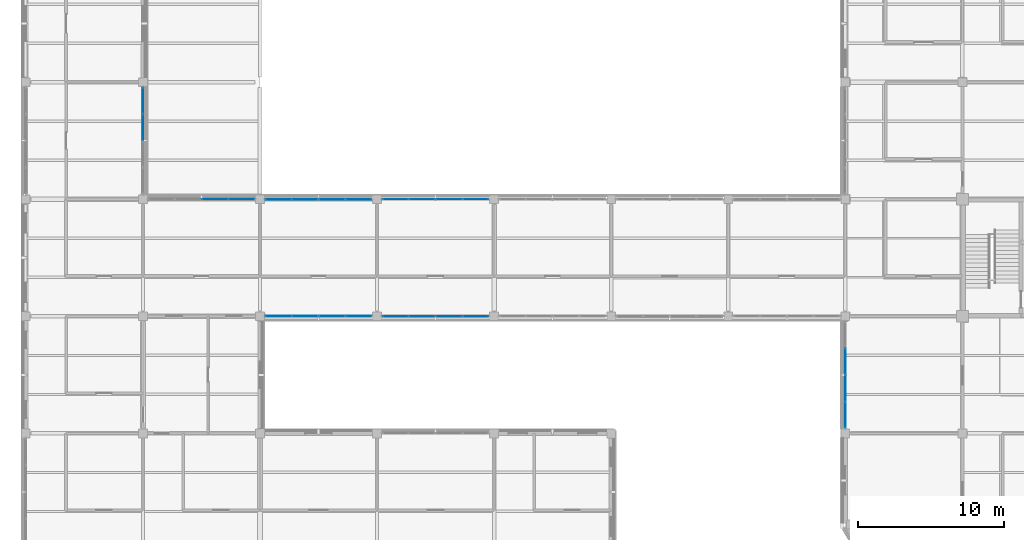
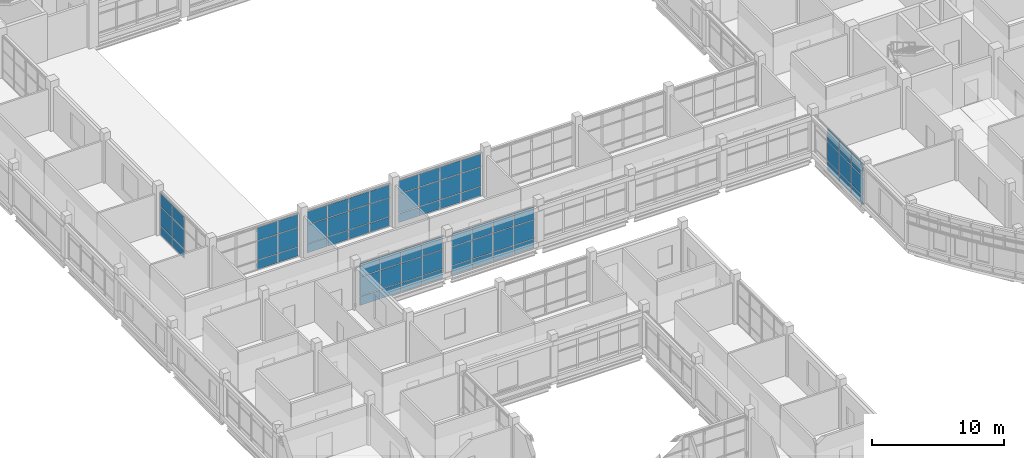
# One storey, part 62 of 121: 69 plates, 7 elements without a shape of their own.
"""IFC4 building model written with IfcOpenShell, lengths in metres."""

from ifc_helpers import new_model, si_unit, derived_unit, direction, frame, origin, origin_2d, place, context, subcontext, project, spatial, rectangle, extrude, material, layer, layer_set, type_object, element, aggregate, save


model = new_model("IFC4")

# Units and contexts
model_context = context("Model", 3, precision=1e-05, world=origin(), true_north=direction((0.0, 1.0)))
body_context = subcontext(model_context, "Body", "Model", "MODEL_VIEW")
ifc_project = project(units=[si_unit("LENGTHUNIT", "METRE"), si_unit("AREAUNIT", "SQUARE_METRE"), si_unit("VOLUMEUNIT", "CUBIC_METRE"), si_unit("PLANEANGLEUNIT", "RADIAN"), si_unit("MASSUNIT", "GRAM", prefix="KILO"), derived_unit("THERMALTRANSMITTANCEUNIT", [(si_unit("MASSUNIT", "GRAM", prefix="KILO"), 1), (si_unit("TIMEUNIT", "SECOND"), -3), (si_unit("THERMODYNAMICTEMPERATUREUNIT", "KELVIN"), -1)])], contexts=[model_context])

# Site, building, storey
site_placement = place(None, origin())
site = spatial("IfcSite", under=ifc_project, at=site_placement, CompositionType="ELEMENT")
building_placement = place(site_placement, origin())
building = spatial("IfcBuilding", under=site, at=building_placement, Name="Veyamyaing Civic Hall", CompositionType="ELEMENT")
storey_placement = place(building_placement, frame((0.0, 0.0, 5.280029296875)))
storey = spatial("IfcBuildingStorey", under=building, at=storey_placement, Name="L01", CompositionType="ELEMENT", Elevation=5.280029296875)

# Curtain wall, plates
ifc_material_1 = material(Name="Anodised aluminium 6063-T6", Category="aluminium")
ifc_layer_1 = layer(ifc_material_1, 0.159912109375, Name="Anodised aluminium 6063-T6")
ifc_layer_set_1 = layer_set([ifc_layer_1], Name="Anodised aluminium 6063-T6")
curtain_wall_type = type_object("IfcCurtainWallType", Name="CW-02", PredefinedType="NOTDEFINED", material=ifc_layer_set_1)
curtain_wall_1_placement = place(storey_placement, origin())
curtain_wall_1 = element("IfcCurtainWall", 1, at=curtain_wall_1_placement, inside=storey, type_object=curtain_wall_type, Name="Unitized curtain wall CW-02 L01 W 8.6", PredefinedType="NOTDEFINED")
ifc_material_2 = material(Name="Low-E insulated glass", Category="glass")
ifc_layer_2 = layer(ifc_material_2, 0.035888671875, Name="Low-E insulated glass")
ifc_layer_set_2 = layer_set([ifc_layer_2], Name="Low-E insulated glass")
plate_type_1 = type_object("IfcPlateType", Name="CWP-03", PredefinedType="CURTAIN_PANEL", material=ifc_layer_set_2)
plate_1_placement = place(storey_placement, frame((56.0, 41.263671875, 0.06494140625), z_axis=(0.0, 0.0, 1.0), x_axis=(0.0, 1.0, 0.0)))
plate_1 = element("IfcPlate", 2, at=plate_1_placement, type_object=plate_type_1, Name="CW-02 panel 1.1", PredefinedType="CURTAIN_PANEL", context=body_context, shape_type="SweptSolid", body=[
    extrude(rectangle(XDim=1.737548828125, YDim=0.035888671875, at=origin_2d()), origin(), (0.0, 0.0, 1.0), 0.802490234375),
])
plate_2_placement = place(storey_placement, frame((56.0, 41.263671875, 0.932373046875), z_axis=(0.0, 0.0, 1.0), x_axis=(0.0, 1.0, 0.0)))
plate_2 = element("IfcPlate", 3, at=plate_2_placement, type_object=plate_type_1, Name="CW-02 panel 1.2", PredefinedType="CURTAIN_PANEL", context=body_context, shape_type="SweptSolid", body=[
    extrude(rectangle(XDim=1.737548828125, YDim=0.035888671875, at=origin_2d()), origin(), (0.0, 0.0, 1.0), 1.7373046875),
])
plate_3_placement = place(storey_placement, frame((56.0, 41.263671875, 2.734619140625), z_axis=(0.0, 0.0, 1.0), x_axis=(0.0, 1.0, 0.0)))
plate_3 = element("IfcPlate", 4, at=plate_3_placement, type_object=plate_type_1, Name="CW-02 panel 1.3", PredefinedType="CURTAIN_PANEL", context=body_context, shape_type="SweptSolid", body=[
    extrude(rectangle(XDim=1.737548828125, YDim=0.035888671875, at=origin_2d()), origin(), (0.0, 0.0, 1.0), 1.17431640625),
])
plate_4_placement = place(storey_placement, frame((56.0, 43.08251953125, 0.06494140625), z_axis=(0.0, 0.0, 1.0), x_axis=(0.0, 1.0, 0.0)))
plate_4 = element("IfcPlate", 5, at=plate_4_placement, type_object=plate_type_1, Name="CW-02 panel 2.1", PredefinedType="CURTAIN_PANEL", context=body_context, shape_type="SweptSolid", body=[
    extrude(rectangle(XDim=1.77001953125, YDim=0.035888671875, at=origin_2d()), origin(), (0.0, 0.0, 1.0), 0.802490234375),
])
plate_5_placement = place(storey_placement, frame((56.0, 43.08251953125, 0.932373046875), z_axis=(0.0, 0.0, 1.0), x_axis=(0.0, 1.0, 0.0)))
plate_5 = element("IfcPlate", 6, at=plate_5_placement, type_object=plate_type_1, Name="CW-02 panel 2.2", PredefinedType="CURTAIN_PANEL", context=body_context, shape_type="SweptSolid", body=[
    extrude(rectangle(XDim=1.77001953125, YDim=0.035888671875, at=origin_2d()), origin(), (0.0, 0.0, 1.0), 1.7373046875),
])
plate_6_placement = place(storey_placement, frame((56.0, 43.08251953125, 2.734619140625), z_axis=(0.0, 0.0, 1.0), x_axis=(0.0, 1.0, 0.0)))
plate_6 = element("IfcPlate", 7, at=plate_6_placement, type_object=plate_type_1, Name="CW-02 panel 2.3", PredefinedType="CURTAIN_PANEL", context=body_context, shape_type="SweptSolid", body=[
    extrude(rectangle(XDim=1.77001953125, YDim=0.035888671875, at=origin_2d()), origin(), (0.0, 0.0, 1.0), 1.17431640625),
])
plate_7_placement = place(storey_placement, frame((56.0, 44.91748046875, 0.06494140625), z_axis=(0.0, 0.0, 1.0), x_axis=(0.0, 1.0, 0.0)))
plate_7 = element("IfcPlate", 8, at=plate_7_placement, type_object=plate_type_1, Name="CW-02 panel 3.1", PredefinedType="CURTAIN_PANEL", context=body_context, shape_type="SweptSolid", body=[
    extrude(rectangle(XDim=1.77001953125, YDim=0.035888671875, at=origin_2d()), origin(), (0.0, 0.0, 1.0), 0.802490234375),
])
plate_8_placement = place(storey_placement, frame((56.0, 44.91748046875, 0.932373046875), z_axis=(0.0, 0.0, 1.0), x_axis=(0.0, 1.0, 0.0)))
plate_8 = element("IfcPlate", 9, at=plate_8_placement, type_object=plate_type_1, Name="CW-02 panel 3.2", PredefinedType="CURTAIN_PANEL", context=body_context, shape_type="SweptSolid", body=[
    extrude(rectangle(XDim=1.77001953125, YDim=0.035888671875, at=origin_2d()), origin(), (0.0, 0.0, 1.0), 1.7373046875),
])
plate_9_placement = place(storey_placement, frame((56.0, 44.91748046875, 2.734619140625), z_axis=(0.0, 0.0, 1.0), x_axis=(0.0, 1.0, 0.0)))
plate_9 = element("IfcPlate", 10, at=plate_9_placement, type_object=plate_type_1, Name="CW-02 panel 3.3", PredefinedType="CURTAIN_PANEL", context=body_context, shape_type="SweptSolid", body=[
    extrude(rectangle(XDim=1.77001953125, YDim=0.035888671875, at=origin_2d()), origin(), (0.0, 0.0, 1.0), 1.17431640625),
])
aggregate(curtain_wall_1, [plate_1, plate_2, plate_3, plate_4, plate_5, plate_6, plate_7, plate_8, plate_9])

curtain_wall_2_placement = place(storey_placement, origin())
curtain_wall_2 = element("IfcCurtainWall", 11, at=curtain_wall_2_placement, inside=storey, type_object=curtain_wall_type, Name="Unitized curtain wall CW-02 L01 E 1.8", PredefinedType="NOTDEFINED")
ifc_layer_3 = layer(ifc_material_2, 0.02392578125, Name="Low-E insulated glass")
ifc_layer_set_3 = layer_set([ifc_layer_3], Name="Low-E insulated glass")
plate_type_2 = type_object("IfcPlateType", Name="CWP-04", PredefinedType="CURTAIN_PANEL", material=ifc_layer_set_3)
plate_10_placement = place(storey_placement, frame((8.0, 60.91748046875, 0.06494140625), z_axis=(0.0, 0.0, 1.0), x_axis=(0.0, 1.0, 0.0)))
plate_10 = element("IfcPlate", 12, at=plate_10_placement, type_object=plate_type_2, Name="CW-02 panel 3.1", PredefinedType="CURTAIN_PANEL", context=body_context, shape_type="SweptSolid", body=[
    extrude(rectangle(XDim=1.77001953125, YDim=0.02392578125, at=origin_2d()), origin(), (0.0, 0.0, 1.0), 0.802490234375),
])
plate_11_placement = place(storey_placement, frame((8.0, 60.91748046875, 0.932373046875), z_axis=(0.0, 0.0, 1.0), x_axis=(0.0, 1.0, 0.0)))
plate_11 = element("IfcPlate", 13, at=plate_11_placement, type_object=plate_type_2, Name="CW-02 panel 3.2", PredefinedType="CURTAIN_PANEL", context=body_context, shape_type="SweptSolid", body=[
    extrude(rectangle(XDim=1.77001953125, YDim=0.02392578125, at=origin_2d()), origin(), (0.0, 0.0, 1.0), 1.7373046875),
])
plate_12_placement = place(storey_placement, frame((8.0, 60.91748046875, 2.734619140625), z_axis=(0.0, 0.0, 1.0), x_axis=(0.0, 1.0, 0.0)))
plate_12 = element("IfcPlate", 14, at=plate_12_placement, type_object=plate_type_2, Name="CW-02 panel 3.3", PredefinedType="CURTAIN_PANEL", context=body_context, shape_type="SweptSolid", body=[
    extrude(rectangle(XDim=1.77001953125, YDim=0.02392578125, at=origin_2d()), origin(), (0.0, 0.0, 1.0), 1.17431640625),
])
plate_13_placement = place(storey_placement, frame((8.0, 62.736328125, 0.06494140625), z_axis=(0.0, 0.0, 1.0), x_axis=(0.0, 1.0, 0.0)))
plate_13 = element("IfcPlate", 15, at=plate_13_placement, type_object=plate_type_2, Name="CW-02 panel 4.1", PredefinedType="CURTAIN_PANEL", context=body_context, shape_type="SweptSolid", body=[
    extrude(rectangle(XDim=1.737548828125, YDim=0.02392578125, at=origin_2d()), origin(), (0.0, 0.0, 1.0), 0.802490234375),
])
plate_14_placement = place(storey_placement, frame((8.0, 62.736328125, 0.932373046875), z_axis=(0.0, 0.0, 1.0), x_axis=(0.0, 1.0, 0.0)))
plate_14 = element("IfcPlate", 16, at=plate_14_placement, type_object=plate_type_2, Name="CW-02 panel 4.2", PredefinedType="CURTAIN_PANEL", context=body_context, shape_type="SweptSolid", body=[
    extrude(rectangle(XDim=1.737548828125, YDim=0.02392578125, at=origin_2d()), origin(), (0.0, 0.0, 1.0), 1.7373046875),
])
plate_15_placement = place(storey_placement, frame((8.0, 62.736328125, 2.734619140625), z_axis=(0.0, 0.0, 1.0), x_axis=(0.0, 1.0, 0.0)))
plate_15 = element("IfcPlate", 17, at=plate_15_placement, type_object=plate_type_2, Name="CW-02 panel 4.3", PredefinedType="CURTAIN_PANEL", context=body_context, shape_type="SweptSolid", body=[
    extrude(rectangle(XDim=1.737548828125, YDim=0.02392578125, at=origin_2d()), origin(), (0.0, 0.0, 1.0), 1.17431640625),
])
aggregate(curtain_wall_2, [plate_10, plate_11, plate_12, plate_13, plate_14, plate_15])

curtain_wall_3_placement = place(storey_placement, origin())
curtain_wall_3 = element("IfcCurtainWall", 18, at=curtain_wall_3_placement, inside=storey, type_object=curtain_wall_type, Name="Unitized curtain wall CW-02 L01 N 2.7", PredefinedType="NOTDEFINED")
plate_16_placement = place(storey_placement, frame((12.91748046875, 56.0, 0.06494140625), z_axis=(0.0, 0.0, 1.0), x_axis=(1.0, 0.0, 0.0)))
plate_16 = element("IfcPlate", 19, at=plate_16_placement, type_object=plate_type_2, Name="CW-02 panel 3.1", PredefinedType="CURTAIN_PANEL", context=body_context, shape_type="SweptSolid", body=[
    extrude(rectangle(XDim=1.77001953125, YDim=0.02392578125, at=origin_2d()), origin(), (0.0, 0.0, 1.0), 0.802490234375),
])
plate_17_placement = place(storey_placement, frame((12.91748046875, 56.0, 0.932373046875), z_axis=(0.0, 0.0, 1.0), x_axis=(1.0, 0.0, 0.0)))
plate_17 = element("IfcPlate", 20, at=plate_17_placement, type_object=plate_type_2, Name="CW-02 panel 3.2", PredefinedType="CURTAIN_PANEL", context=body_context, shape_type="SweptSolid", body=[
    extrude(rectangle(XDim=1.77001953125, YDim=0.02392578125, at=origin_2d()), origin(), (0.0, 0.0, 1.0), 1.7373046875),
])
plate_18_placement = place(storey_placement, frame((12.91748046875, 56.0, 2.734619140625), z_axis=(0.0, 0.0, 1.0), x_axis=(1.0, 0.0, 0.0)))
plate_18 = element("IfcPlate", 21, at=plate_18_placement, type_object=plate_type_2, Name="CW-02 panel 3.3", PredefinedType="CURTAIN_PANEL", context=body_context, shape_type="SweptSolid", body=[
    extrude(rectangle(XDim=1.77001953125, YDim=0.02392578125, at=origin_2d()), origin(), (0.0, 0.0, 1.0), 1.17431640625),
])
plate_19_placement = place(storey_placement, frame((14.736328125, 56.0, 0.06494140625), z_axis=(0.0, 0.0, 1.0), x_axis=(1.0, 0.0, 0.0)))
plate_19 = element("IfcPlate", 22, at=plate_19_placement, type_object=plate_type_2, Name="CW-02 panel 4.1", PredefinedType="CURTAIN_PANEL", context=body_context, shape_type="SweptSolid", body=[
    extrude(rectangle(XDim=1.737548828125, YDim=0.02392578125, at=origin_2d()), origin(), (0.0, 0.0, 1.0), 0.802490234375),
])
plate_20_placement = place(storey_placement, frame((14.736328125, 56.0, 0.932373046875), z_axis=(0.0, 0.0, 1.0), x_axis=(1.0, 0.0, 0.0)))
plate_20 = element("IfcPlate", 23, at=plate_20_placement, type_object=plate_type_2, Name="CW-02 panel 4.2", PredefinedType="CURTAIN_PANEL", context=body_context, shape_type="SweptSolid", body=[
    extrude(rectangle(XDim=1.737548828125, YDim=0.02392578125, at=origin_2d()), origin(), (0.0, 0.0, 1.0), 1.7373046875),
])
plate_21_placement = place(storey_placement, frame((14.736328125, 56.0, 2.734619140625), z_axis=(0.0, 0.0, 1.0), x_axis=(1.0, 0.0, 0.0)))
plate_21 = element("IfcPlate", 24, at=plate_21_placement, type_object=plate_type_2, Name="CW-02 panel 4.3", PredefinedType="CURTAIN_PANEL", context=body_context, shape_type="SweptSolid", body=[
    extrude(rectangle(XDim=1.737548828125, YDim=0.02392578125, at=origin_2d()), origin(), (0.0, 0.0, 1.0), 1.17431640625),
])
aggregate(curtain_wall_3, [plate_16, plate_17, plate_18, plate_19, plate_20, plate_21])

curtain_wall_4_placement = place(storey_placement, origin())
curtain_wall_4 = element("IfcCurtainWall", 25, at=curtain_wall_4_placement, inside=storey, type_object=curtain_wall_type, Name="Unitized curtain wall CW-02 L01 S 3.7", PredefinedType="NOTDEFINED")
ifc_layer_4 = layer(ifc_material_2, 0.0400390625, Name="Low-E insulated glass")
ifc_layer_set_4 = layer_set([ifc_layer_4], Name="Low-E insulated glass")
plate_type_3 = type_object("IfcPlateType", Name="CWP-05", PredefinedType="CURTAIN_PANEL", material=ifc_layer_set_4)
plate_22_placement = place(storey_placement, frame((17.263671875, 48.0, 0.06494140625), z_axis=(0.0, 0.0, 1.0), x_axis=(1.0, 0.0, 0.0)))
plate_22 = element("IfcPlate", 26, at=plate_22_placement, type_object=plate_type_3, Name="CW-02 panel 1.1", PredefinedType="CURTAIN_PANEL", context=body_context, shape_type="SweptSolid", body=[
    extrude(rectangle(XDim=1.737548828125, YDim=0.0400390625, at=origin_2d()), origin(), (0.0, 0.0, 1.0), 0.802490234375),
])
plate_23_placement = place(storey_placement, frame((17.263671875, 48.0, 0.932373046875), z_axis=(0.0, 0.0, 1.0), x_axis=(1.0, 0.0, 0.0)))
plate_23 = element("IfcPlate", 27, at=plate_23_placement, type_object=plate_type_3, Name="CW-02 panel 1.2", PredefinedType="CURTAIN_PANEL", context=body_context, shape_type="SweptSolid", body=[
    extrude(rectangle(XDim=1.737548828125, YDim=0.0400390625, at=origin_2d()), origin(), (0.0, 0.0, 1.0), 1.7373046875),
])
plate_24_placement = place(storey_placement, frame((17.263671875, 48.0, 2.734619140625), z_axis=(0.0, 0.0, 1.0), x_axis=(1.0, 0.0, 0.0)))
plate_24 = element("IfcPlate", 28, at=plate_24_placement, type_object=plate_type_3, Name="CW-02 panel 1.3", PredefinedType="CURTAIN_PANEL", context=body_context, shape_type="SweptSolid", body=[
    extrude(rectangle(XDim=1.737548828125, YDim=0.0400390625, at=origin_2d()), origin(), (0.0, 0.0, 1.0), 1.17431640625),
])
plate_25_placement = place(storey_placement, frame((19.08251953125, 48.0, 0.06494140625), z_axis=(0.0, 0.0, 1.0), x_axis=(1.0, 0.0, 0.0)))
plate_25 = element("IfcPlate", 29, at=plate_25_placement, type_object=plate_type_3, Name="CW-02 panel 2.1", PredefinedType="CURTAIN_PANEL", context=body_context, shape_type="SweptSolid", body=[
    extrude(rectangle(XDim=1.77001953125, YDim=0.0400390625, at=origin_2d()), origin(), (0.0, 0.0, 1.0), 0.802490234375),
])
plate_26_placement = place(storey_placement, frame((19.08251953125, 48.0, 0.932373046875), z_axis=(0.0, 0.0, 1.0), x_axis=(1.0, 0.0, 0.0)))
plate_26 = element("IfcPlate", 30, at=plate_26_placement, type_object=plate_type_3, Name="CW-02 panel 2.2", PredefinedType="CURTAIN_PANEL", context=body_context, shape_type="SweptSolid", body=[
    extrude(rectangle(XDim=1.77001953125, YDim=0.0400390625, at=origin_2d()), origin(), (0.0, 0.0, 1.0), 1.7373046875),
])
plate_27_placement = place(storey_placement, frame((19.08251953125, 48.0, 2.734619140625), z_axis=(0.0, 0.0, 1.0), x_axis=(1.0, 0.0, 0.0)))
plate_27 = element("IfcPlate", 31, at=plate_27_placement, type_object=plate_type_3, Name="CW-02 panel 2.3", PredefinedType="CURTAIN_PANEL", context=body_context, shape_type="SweptSolid", body=[
    extrude(rectangle(XDim=1.77001953125, YDim=0.0400390625, at=origin_2d()), origin(), (0.0, 0.0, 1.0), 1.17431640625),
])
plate_28_placement = place(storey_placement, frame((20.91748046875, 48.0, 0.06494140625), z_axis=(0.0, 0.0, 1.0), x_axis=(1.0, 0.0, 0.0)))
plate_28 = element("IfcPlate", 32, at=plate_28_placement, type_object=plate_type_3, Name="CW-02 panel 3.1", PredefinedType="CURTAIN_PANEL", context=body_context, shape_type="SweptSolid", body=[
    extrude(rectangle(XDim=1.77001953125, YDim=0.0400390625, at=origin_2d()), origin(), (0.0, 0.0, 1.0), 0.802490234375),
])
plate_29_placement = place(storey_placement, frame((20.91748046875, 48.0, 0.932373046875), z_axis=(0.0, 0.0, 1.0), x_axis=(1.0, 0.0, 0.0)))
plate_29 = element("IfcPlate", 33, at=plate_29_placement, type_object=plate_type_3, Name="CW-02 panel 3.2", PredefinedType="CURTAIN_PANEL", context=body_context, shape_type="SweptSolid", body=[
    extrude(rectangle(XDim=1.77001953125, YDim=0.0400390625, at=origin_2d()), origin(), (0.0, 0.0, 1.0), 1.7373046875),
])
plate_30_placement = place(storey_placement, frame((20.91748046875, 48.0, 2.734619140625), z_axis=(0.0, 0.0, 1.0), x_axis=(1.0, 0.0, 0.0)))
plate_30 = element("IfcPlate", 34, at=plate_30_placement, type_object=plate_type_3, Name="CW-02 panel 3.3", PredefinedType="CURTAIN_PANEL", context=body_context, shape_type="SweptSolid", body=[
    extrude(rectangle(XDim=1.77001953125, YDim=0.0400390625, at=origin_2d()), origin(), (0.0, 0.0, 1.0), 1.17431640625),
])
plate_31_placement = place(storey_placement, frame((22.736328125, 48.0, 0.06494140625), z_axis=(0.0, 0.0, 1.0), x_axis=(1.0, 0.0, 0.0)))
plate_31 = element("IfcPlate", 35, at=plate_31_placement, type_object=plate_type_3, Name="CW-02 panel 4.1", PredefinedType="CURTAIN_PANEL", context=body_context, shape_type="SweptSolid", body=[
    extrude(rectangle(XDim=1.737548828125, YDim=0.0400390625, at=origin_2d()), origin(), (0.0, 0.0, 1.0), 0.802490234375),
])
plate_32_placement = place(storey_placement, frame((22.736328125, 48.0, 0.932373046875), z_axis=(0.0, 0.0, 1.0), x_axis=(1.0, 0.0, 0.0)))
plate_32 = element("IfcPlate", 36, at=plate_32_placement, type_object=plate_type_3, Name="CW-02 panel 4.2", PredefinedType="CURTAIN_PANEL", context=body_context, shape_type="SweptSolid", body=[
    extrude(rectangle(XDim=1.737548828125, YDim=0.0400390625, at=origin_2d()), origin(), (0.0, 0.0, 1.0), 1.7373046875),
])
plate_33_placement = place(storey_placement, frame((22.736328125, 48.0, 2.734619140625), z_axis=(0.0, 0.0, 1.0), x_axis=(1.0, 0.0, 0.0)))
plate_33 = element("IfcPlate", 37, at=plate_33_placement, type_object=plate_type_3, Name="CW-02 panel 4.3", PredefinedType="CURTAIN_PANEL", context=body_context, shape_type="SweptSolid", body=[
    extrude(rectangle(XDim=1.737548828125, YDim=0.0400390625, at=origin_2d()), origin(), (0.0, 0.0, 1.0), 1.17431640625),
])
aggregate(curtain_wall_4, [plate_22, plate_23, plate_24, plate_25, plate_26, plate_27, plate_28, plate_29, plate_30, plate_31, plate_32, plate_33])

curtain_wall_5_placement = place(storey_placement, origin())
curtain_wall_5 = element("IfcCurtainWall", 38, at=curtain_wall_5_placement, inside=storey, type_object=curtain_wall_type, Name="Unitized curtain wall CW-02 L01 N 3.7", PredefinedType="NOTDEFINED")
plate_34_placement = place(storey_placement, frame((17.263671875, 56.0, 0.06494140625), z_axis=(0.0, 0.0, 1.0), x_axis=(1.0, 0.0, 0.0)))
plate_34 = element("IfcPlate", 39, at=plate_34_placement, type_object=plate_type_3, Name="CW-02 panel 1.1", PredefinedType="CURTAIN_PANEL", context=body_context, shape_type="SweptSolid", body=[
    extrude(rectangle(XDim=1.737548828125, YDim=0.0400390625, at=origin_2d()), origin(), (0.0, 0.0, 1.0), 0.802490234375),
])
plate_35_placement = place(storey_placement, frame((17.263671875, 56.0, 0.9326171875), z_axis=(0.0, 0.0, 1.0), x_axis=(1.0, 0.0, 0.0)))
plate_35 = element("IfcPlate", 40, at=plate_35_placement, type_object=plate_type_3, Name="CW-02 panel 1.2", PredefinedType="CURTAIN_PANEL", context=body_context, shape_type="SweptSolid", body=[
    extrude(rectangle(XDim=1.737548828125, YDim=0.0400390625, at=origin_2d()), origin(), (0.0, 0.0, 1.0), 1.696533203125),
])
plate_36_placement = place(storey_placement, frame((17.263671875, 56.0, 2.69384765625), z_axis=(0.0, 0.0, 1.0), x_axis=(1.0, 0.0, 0.0)))
plate_36 = element("IfcPlate", 41, at=plate_36_placement, type_object=plate_type_3, Name="CW-02 panel 1.3", PredefinedType="CURTAIN_PANEL", context=body_context, shape_type="SweptSolid", body=[
    extrude(rectangle(XDim=1.737548828125, YDim=0.0400390625, at=origin_2d()), origin(), (0.0, 0.0, 1.0), 1.155029296875),
])
plate_37_placement = place(storey_placement, frame((19.08251953125, 56.0, 0.06494140625), z_axis=(0.0, 0.0, 1.0), x_axis=(1.0, 0.0, 0.0)))
plate_37 = element("IfcPlate", 42, at=plate_37_placement, type_object=plate_type_3, Name="CW-02 panel 2.1", PredefinedType="CURTAIN_PANEL", context=body_context, shape_type="SweptSolid", body=[
    extrude(rectangle(XDim=1.77001953125, YDim=0.0400390625, at=origin_2d()), origin(), (0.0, 0.0, 1.0), 0.802490234375),
])
plate_38_placement = place(storey_placement, frame((19.08251953125, 56.0, 0.9326171875), z_axis=(0.0, 0.0, 1.0), x_axis=(1.0, 0.0, 0.0)))
plate_38 = element("IfcPlate", 43, at=plate_38_placement, type_object=plate_type_3, Name="CW-02 panel 2.2", PredefinedType="CURTAIN_PANEL", context=body_context, shape_type="SweptSolid", body=[
    extrude(rectangle(XDim=1.77001953125, YDim=0.0400390625, at=origin_2d()), origin(), (0.0, 0.0, 1.0), 1.696533203125),
])
plate_39_placement = place(storey_placement, frame((19.08251953125, 56.0, 2.69384765625), z_axis=(0.0, 0.0, 1.0), x_axis=(1.0, 0.0, 0.0)))
plate_39 = element("IfcPlate", 44, at=plate_39_placement, type_object=plate_type_3, Name="CW-02 panel 2.3", PredefinedType="CURTAIN_PANEL", context=body_context, shape_type="SweptSolid", body=[
    extrude(rectangle(XDim=1.77001953125, YDim=0.0400390625, at=origin_2d()), origin(), (0.0, 0.0, 1.0), 1.155029296875),
])
plate_40_placement = place(storey_placement, frame((20.91748046875, 56.0, 0.06494140625), z_axis=(0.0, 0.0, 1.0), x_axis=(1.0, 0.0, 0.0)))
plate_40 = element("IfcPlate", 45, at=plate_40_placement, type_object=plate_type_3, Name="CW-02 panel 3.1", PredefinedType="CURTAIN_PANEL", context=body_context, shape_type="SweptSolid", body=[
    extrude(rectangle(XDim=1.77001953125, YDim=0.0400390625, at=origin_2d()), origin(), (0.0, 0.0, 1.0), 0.802490234375),
])
plate_41_placement = place(storey_placement, frame((20.91748046875, 56.0, 0.9326171875), z_axis=(0.0, 0.0, 1.0), x_axis=(1.0, 0.0, 0.0)))
plate_41 = element("IfcPlate", 46, at=plate_41_placement, type_object=plate_type_3, Name="CW-02 panel 3.2", PredefinedType="CURTAIN_PANEL", context=body_context, shape_type="SweptSolid", body=[
    extrude(rectangle(XDim=1.77001953125, YDim=0.0400390625, at=origin_2d()), origin(), (0.0, 0.0, 1.0), 1.696533203125),
])
plate_42_placement = place(storey_placement, frame((20.91748046875, 56.0, 2.69384765625), z_axis=(0.0, 0.0, 1.0), x_axis=(1.0, 0.0, 0.0)))
plate_42 = element("IfcPlate", 47, at=plate_42_placement, type_object=plate_type_3, Name="CW-02 panel 3.3", PredefinedType="CURTAIN_PANEL", context=body_context, shape_type="SweptSolid", body=[
    extrude(rectangle(XDim=1.77001953125, YDim=0.0400390625, at=origin_2d()), origin(), (0.0, 0.0, 1.0), 1.155029296875),
])
plate_43_placement = place(storey_placement, frame((22.736328125, 56.0, 0.06494140625), z_axis=(0.0, 0.0, 1.0), x_axis=(1.0, 0.0, 0.0)))
plate_43 = element("IfcPlate", 48, at=plate_43_placement, type_object=plate_type_3, Name="CW-02 panel 4.1", PredefinedType="CURTAIN_PANEL", context=body_context, shape_type="SweptSolid", body=[
    extrude(rectangle(XDim=1.737548828125, YDim=0.0400390625, at=origin_2d()), origin(), (0.0, 0.0, 1.0), 0.802490234375),
])
plate_44_placement = place(storey_placement, frame((22.736328125, 56.0, 0.9326171875), z_axis=(0.0, 0.0, 1.0), x_axis=(1.0, 0.0, 0.0)))
plate_44 = element("IfcPlate", 49, at=plate_44_placement, type_object=plate_type_3, Name="CW-02 panel 4.2", PredefinedType="CURTAIN_PANEL", context=body_context, shape_type="SweptSolid", body=[
    extrude(rectangle(XDim=1.737548828125, YDim=0.0400390625, at=origin_2d()), origin(), (0.0, 0.0, 1.0), 1.696533203125),
])
plate_45_placement = place(storey_placement, frame((22.736328125, 56.0, 2.69384765625), z_axis=(0.0, 0.0, 1.0), x_axis=(1.0, 0.0, 0.0)))
plate_45 = element("IfcPlate", 50, at=plate_45_placement, type_object=plate_type_3, Name="CW-02 panel 4.3", PredefinedType="CURTAIN_PANEL", context=body_context, shape_type="SweptSolid", body=[
    extrude(rectangle(XDim=1.737548828125, YDim=0.0400390625, at=origin_2d()), origin(), (0.0, 0.0, 1.0), 1.155029296875),
])
aggregate(curtain_wall_5, [plate_34, plate_35, plate_36, plate_37, plate_38, plate_39, plate_40, plate_41, plate_42, plate_43, plate_44, plate_45])

curtain_wall_6_placement = place(storey_placement, origin())
curtain_wall_6 = element("IfcCurtainWall", 51, at=curtain_wall_6_placement, inside=storey, type_object=curtain_wall_type, Name="Unitized curtain wall CW-02 L01 S 4.7", PredefinedType="NOTDEFINED")
ifc_layer_5 = layer(ifc_material_2, 0.02197265625, Name="Low-E insulated glass")
ifc_layer_set_5 = layer_set([ifc_layer_5], Name="Low-E insulated glass")
plate_type_4 = type_object("IfcPlateType", Name="CWP-06", PredefinedType="CURTAIN_PANEL", material=ifc_layer_set_5)
plate_46_placement = place(storey_placement, frame((25.263671875, 48.0, 0.06494140625), z_axis=(0.0, 0.0, 1.0), x_axis=(1.0, 0.0, 0.0)))
plate_46 = element("IfcPlate", 52, at=plate_46_placement, type_object=plate_type_4, Name="CW-02 panel 1.1", PredefinedType="CURTAIN_PANEL", context=body_context, shape_type="SweptSolid", body=[
    extrude(rectangle(XDim=1.737548828125, YDim=0.02197265625, at=origin_2d()), origin(), (0.0, 0.0, 1.0), 0.802490234375),
])
plate_47_placement = place(storey_placement, frame((25.263671875, 48.0, 0.9326171875), z_axis=(0.0, 0.0, 1.0), x_axis=(1.0, 0.0, 0.0)))
plate_47 = element("IfcPlate", 53, at=plate_47_placement, type_object=plate_type_4, Name="CW-02 panel 1.2", PredefinedType="CURTAIN_PANEL", context=body_context, shape_type="SweptSolid", body=[
    extrude(rectangle(XDim=1.737548828125, YDim=0.02197265625, at=origin_2d()), origin(), (0.0, 0.0, 1.0), 1.696533203125),
])
plate_48_placement = place(storey_placement, frame((25.263671875, 48.0, 2.69384765625), z_axis=(0.0, 0.0, 1.0), x_axis=(1.0, 0.0, 0.0)))
plate_48 = element("IfcPlate", 54, at=plate_48_placement, type_object=plate_type_4, Name="CW-02 panel 1.3", PredefinedType="CURTAIN_PANEL", context=body_context, shape_type="SweptSolid", body=[
    extrude(rectangle(XDim=1.737548828125, YDim=0.02197265625, at=origin_2d()), origin(), (0.0, 0.0, 1.0), 1.155029296875),
])
plate_49_placement = place(storey_placement, frame((27.08251953125, 48.0, 0.06494140625), z_axis=(0.0, 0.0, 1.0), x_axis=(1.0, 0.0, 0.0)))
plate_49 = element("IfcPlate", 55, at=plate_49_placement, type_object=plate_type_4, Name="CW-02 panel 2.1", PredefinedType="CURTAIN_PANEL", context=body_context, shape_type="SweptSolid", body=[
    extrude(rectangle(XDim=1.77001953125, YDim=0.02197265625, at=origin_2d()), origin(), (0.0, 0.0, 1.0), 0.802490234375),
])
plate_50_placement = place(storey_placement, frame((27.08251953125, 48.0, 0.9326171875), z_axis=(0.0, 0.0, 1.0), x_axis=(1.0, 0.0, 0.0)))
plate_50 = element("IfcPlate", 56, at=plate_50_placement, type_object=plate_type_4, Name="CW-02 panel 2.2", PredefinedType="CURTAIN_PANEL", context=body_context, shape_type="SweptSolid", body=[
    extrude(rectangle(XDim=1.77001953125, YDim=0.02197265625, at=origin_2d()), origin(), (0.0, 0.0, 1.0), 1.696533203125),
])
plate_51_placement = place(storey_placement, frame((27.08251953125, 48.0, 2.69384765625), z_axis=(0.0, 0.0, 1.0), x_axis=(1.0, 0.0, 0.0)))
plate_51 = element("IfcPlate", 57, at=plate_51_placement, type_object=plate_type_4, Name="CW-02 panel 2.3", PredefinedType="CURTAIN_PANEL", context=body_context, shape_type="SweptSolid", body=[
    extrude(rectangle(XDim=1.77001953125, YDim=0.02197265625, at=origin_2d()), origin(), (0.0, 0.0, 1.0), 1.155029296875),
])
plate_52_placement = place(storey_placement, frame((28.91748046875, 48.0, 0.06494140625), z_axis=(0.0, 0.0, 1.0), x_axis=(1.0, 0.0, 0.0)))
plate_52 = element("IfcPlate", 58, at=plate_52_placement, type_object=plate_type_4, Name="CW-02 panel 3.1", PredefinedType="CURTAIN_PANEL", context=body_context, shape_type="SweptSolid", body=[
    extrude(rectangle(XDim=1.77001953125, YDim=0.02197265625, at=origin_2d()), origin(), (0.0, 0.0, 1.0), 0.802490234375),
])
plate_53_placement = place(storey_placement, frame((28.91748046875, 48.0, 0.9326171875), z_axis=(0.0, 0.0, 1.0), x_axis=(1.0, 0.0, 0.0)))
plate_53 = element("IfcPlate", 59, at=plate_53_placement, type_object=plate_type_4, Name="CW-02 panel 3.2", PredefinedType="CURTAIN_PANEL", context=body_context, shape_type="SweptSolid", body=[
    extrude(rectangle(XDim=1.77001953125, YDim=0.02197265625, at=origin_2d()), origin(), (0.0, 0.0, 1.0), 1.696533203125),
])
plate_54_placement = place(storey_placement, frame((28.91748046875, 48.0, 2.69384765625), z_axis=(0.0, 0.0, 1.0), x_axis=(1.0, 0.0, 0.0)))
plate_54 = element("IfcPlate", 60, at=plate_54_placement, type_object=plate_type_4, Name="CW-02 panel 3.3", PredefinedType="CURTAIN_PANEL", context=body_context, shape_type="SweptSolid", body=[
    extrude(rectangle(XDim=1.77001953125, YDim=0.02197265625, at=origin_2d()), origin(), (0.0, 0.0, 1.0), 1.155029296875),
])
plate_55_placement = place(storey_placement, frame((30.736328125, 48.0, 0.06494140625), z_axis=(0.0, 0.0, 1.0), x_axis=(1.0, 0.0, 0.0)))
plate_55 = element("IfcPlate", 61, at=plate_55_placement, type_object=plate_type_4, Name="CW-02 panel 4.1", PredefinedType="CURTAIN_PANEL", context=body_context, shape_type="SweptSolid", body=[
    extrude(rectangle(XDim=1.737548828125, YDim=0.02197265625, at=origin_2d()), origin(), (0.0, 0.0, 1.0), 0.802490234375),
])
plate_56_placement = place(storey_placement, frame((30.736328125, 48.0, 0.9326171875), z_axis=(0.0, 0.0, 1.0), x_axis=(1.0, 0.0, 0.0)))
plate_56 = element("IfcPlate", 62, at=plate_56_placement, type_object=plate_type_4, Name="CW-02 panel 4.2", PredefinedType="CURTAIN_PANEL", context=body_context, shape_type="SweptSolid", body=[
    extrude(rectangle(XDim=1.737548828125, YDim=0.02197265625, at=origin_2d()), origin(), (0.0, 0.0, 1.0), 1.696533203125),
])
plate_57_placement = place(storey_placement, frame((30.736328125, 48.0, 2.69384765625), z_axis=(0.0, 0.0, 1.0), x_axis=(1.0, 0.0, 0.0)))
plate_57 = element("IfcPlate", 63, at=plate_57_placement, type_object=plate_type_4, Name="CW-02 panel 4.3", PredefinedType="CURTAIN_PANEL", context=body_context, shape_type="SweptSolid", body=[
    extrude(rectangle(XDim=1.737548828125, YDim=0.02197265625, at=origin_2d()), origin(), (0.0, 0.0, 1.0), 1.155029296875),
])
aggregate(curtain_wall_6, [plate_46, plate_47, plate_48, plate_49, plate_50, plate_51, plate_52, plate_53, plate_54, plate_55, plate_56, plate_57])

curtain_wall_7_placement = place(storey_placement, origin())
curtain_wall_7 = element("IfcCurtainWall", 64, at=curtain_wall_7_placement, inside=storey, type_object=curtain_wall_type, Name="Unitized curtain wall CW-02 L01 N 4.7", PredefinedType="NOTDEFINED")
plate_58_placement = place(storey_placement, frame((25.263671875, 56.0, 0.06494140625), z_axis=(0.0, 0.0, 1.0), x_axis=(1.0, 0.0, 0.0)))
plate_58 = element("IfcPlate", 65, at=plate_58_placement, type_object=plate_type_4, Name="CW-02 panel 1.1", PredefinedType="CURTAIN_PANEL", context=body_context, shape_type="SweptSolid", body=[
    extrude(rectangle(XDim=1.737548828125, YDim=0.02197265625, at=origin_2d()), origin(), (0.0, 0.0, 1.0), 0.802490234375),
])
plate_59_placement = place(storey_placement, frame((25.263671875, 56.0, 0.9326171875), z_axis=(0.0, 0.0, 1.0), x_axis=(1.0, 0.0, 0.0)))
plate_59 = element("IfcPlate", 66, at=plate_59_placement, type_object=plate_type_4, Name="CW-02 panel 1.2", PredefinedType="CURTAIN_PANEL", context=body_context, shape_type="SweptSolid", body=[
    extrude(rectangle(XDim=1.737548828125, YDim=0.02197265625, at=origin_2d()), origin(), (0.0, 0.0, 1.0), 1.739501953125),
])
plate_60_placement = place(storey_placement, frame((25.263671875, 56.0, 2.73681640625), z_axis=(0.0, 0.0, 1.0), x_axis=(1.0, 0.0, 0.0)))
plate_60 = element("IfcPlate", 67, at=plate_60_placement, type_object=plate_type_4, Name="CW-02 panel 1.3", PredefinedType="CURTAIN_PANEL", context=body_context, shape_type="SweptSolid", body=[
    extrude(rectangle(XDim=1.737548828125, YDim=0.02197265625, at=origin_2d()), origin(), (0.0, 0.0, 1.0), 1.175048828125),
])
plate_61_placement = place(storey_placement, frame((27.08251953125, 56.0, 0.06494140625), z_axis=(0.0, 0.0, 1.0), x_axis=(1.0, 0.0, 0.0)))
plate_61 = element("IfcPlate", 68, at=plate_61_placement, type_object=plate_type_4, Name="CW-02 panel 2.1", PredefinedType="CURTAIN_PANEL", context=body_context, shape_type="SweptSolid", body=[
    extrude(rectangle(XDim=1.77001953125, YDim=0.02197265625, at=origin_2d()), origin(), (0.0, 0.0, 1.0), 0.802490234375),
])
plate_62_placement = place(storey_placement, frame((27.08251953125, 56.0, 0.9326171875), z_axis=(0.0, 0.0, 1.0), x_axis=(1.0, 0.0, 0.0)))
plate_62 = element("IfcPlate", 69, at=plate_62_placement, type_object=plate_type_4, Name="CW-02 panel 2.2", PredefinedType="CURTAIN_PANEL", context=body_context, shape_type="SweptSolid", body=[
    extrude(rectangle(XDim=1.77001953125, YDim=0.02197265625, at=origin_2d()), origin(), (0.0, 0.0, 1.0), 1.739501953125),
])
plate_63_placement = place(storey_placement, frame((27.08251953125, 56.0, 2.73681640625), z_axis=(0.0, 0.0, 1.0), x_axis=(1.0, 0.0, 0.0)))
plate_63 = element("IfcPlate", 70, at=plate_63_placement, type_object=plate_type_4, Name="CW-02 panel 2.3", PredefinedType="CURTAIN_PANEL", context=body_context, shape_type="SweptSolid", body=[
    extrude(rectangle(XDim=1.77001953125, YDim=0.02197265625, at=origin_2d()), origin(), (0.0, 0.0, 1.0), 1.175048828125),
])
plate_64_placement = place(storey_placement, frame((28.91748046875, 56.0, 0.06494140625), z_axis=(0.0, 0.0, 1.0), x_axis=(1.0, 0.0, 0.0)))
plate_64 = element("IfcPlate", 71, at=plate_64_placement, type_object=plate_type_4, Name="CW-02 panel 3.1", PredefinedType="CURTAIN_PANEL", context=body_context, shape_type="SweptSolid", body=[
    extrude(rectangle(XDim=1.77001953125, YDim=0.02197265625, at=origin_2d()), origin(), (0.0, 0.0, 1.0), 0.802490234375),
])
plate_65_placement = place(storey_placement, frame((28.91748046875, 56.0, 0.9326171875), z_axis=(0.0, 0.0, 1.0), x_axis=(1.0, 0.0, 0.0)))
plate_65 = element("IfcPlate", 72, at=plate_65_placement, type_object=plate_type_4, Name="CW-02 panel 3.2", PredefinedType="CURTAIN_PANEL", context=body_context, shape_type="SweptSolid", body=[
    extrude(rectangle(XDim=1.77001953125, YDim=0.02197265625, at=origin_2d()), origin(), (0.0, 0.0, 1.0), 1.739501953125),
])
plate_66_placement = place(storey_placement, frame((28.91748046875, 56.0, 2.73681640625), z_axis=(0.0, 0.0, 1.0), x_axis=(1.0, 0.0, 0.0)))
plate_66 = element("IfcPlate", 73, at=plate_66_placement, type_object=plate_type_4, Name="CW-02 panel 3.3", PredefinedType="CURTAIN_PANEL", context=body_context, shape_type="SweptSolid", body=[
    extrude(rectangle(XDim=1.77001953125, YDim=0.02197265625, at=origin_2d()), origin(), (0.0, 0.0, 1.0), 1.175048828125),
])
plate_67_placement = place(storey_placement, frame((30.736328125, 56.0, 0.06494140625), z_axis=(0.0, 0.0, 1.0), x_axis=(1.0, 0.0, 0.0)))
plate_67 = element("IfcPlate", 74, at=plate_67_placement, type_object=plate_type_4, Name="CW-02 panel 4.1", PredefinedType="CURTAIN_PANEL", context=body_context, shape_type="SweptSolid", body=[
    extrude(rectangle(XDim=1.737548828125, YDim=0.02197265625, at=origin_2d()), origin(), (0.0, 0.0, 1.0), 0.802490234375),
])
plate_68_placement = place(storey_placement, frame((30.736328125, 56.0, 0.9326171875), z_axis=(0.0, 0.0, 1.0), x_axis=(1.0, 0.0, 0.0)))
plate_68 = element("IfcPlate", 75, at=plate_68_placement, type_object=plate_type_4, Name="CW-02 panel 4.2", PredefinedType="CURTAIN_PANEL", context=body_context, shape_type="SweptSolid", body=[
    extrude(rectangle(XDim=1.737548828125, YDim=0.02197265625, at=origin_2d()), origin(), (0.0, 0.0, 1.0), 1.739501953125),
])
plate_69_placement = place(storey_placement, frame((30.736328125, 56.0, 2.73681640625), z_axis=(0.0, 0.0, 1.0), x_axis=(1.0, 0.0, 0.0)))
plate_69 = element("IfcPlate", 76, at=plate_69_placement, type_object=plate_type_4, Name="CW-02 panel 4.3", PredefinedType="CURTAIN_PANEL", context=body_context, shape_type="SweptSolid", body=[
    extrude(rectangle(XDim=1.737548828125, YDim=0.02197265625, at=origin_2d()), origin(), (0.0, 0.0, 1.0), 1.175048828125),
])
aggregate(curtain_wall_7, [plate_58, plate_59, plate_60, plate_61, plate_62, plate_63, plate_64, plate_65, plate_66, plate_67, plate_68, plate_69])

save(model, "model.ifc")
